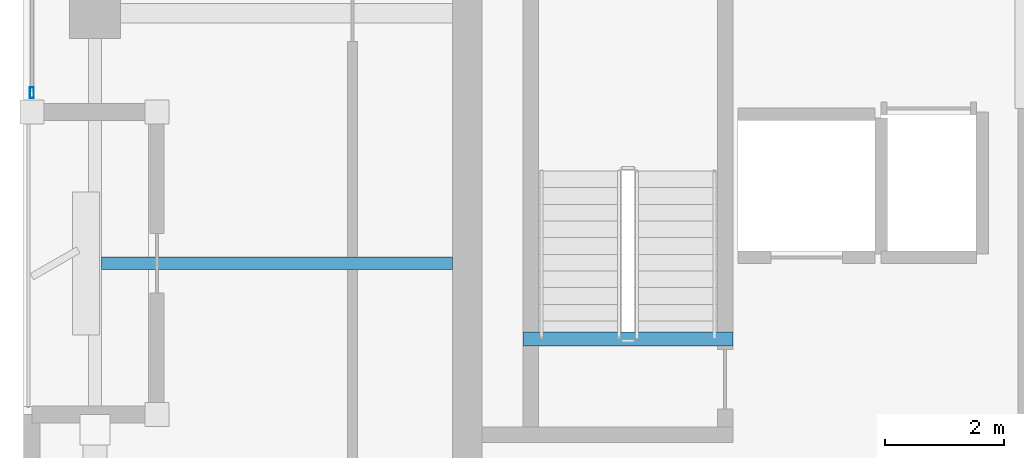
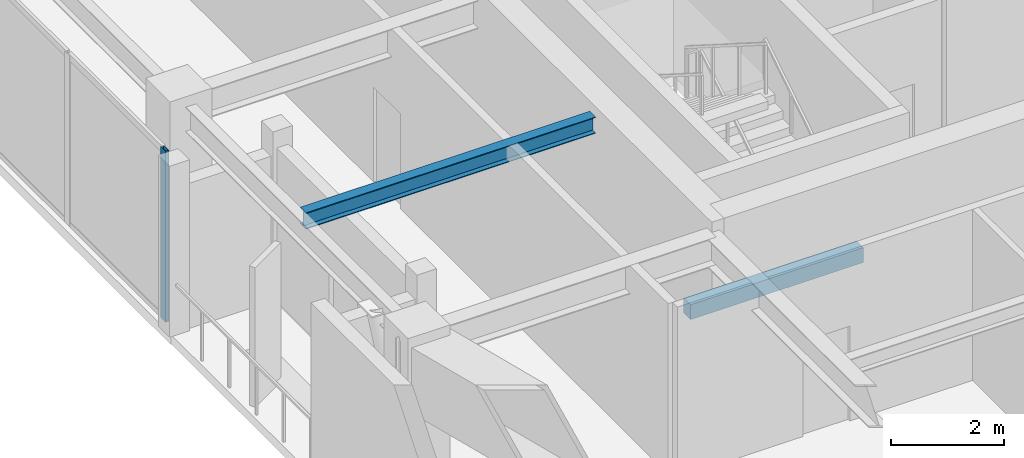
# One storey, part 2 of 15: 2 beams, 1 member, 1 element without a shape of its own.
"""IFC4 building model written with IfcOpenShell, lengths in metres."""

from ifc_helpers import new_model, si_unit, direction, frame, origin, origin_2d, place, context, subcontext, project, spatial, rectangle, hollow_rectangle, i_section, extrude, material, layer, layer_set, material_profile, profile_set, type_object, element, aggregate, save


model = new_model("IFC4")

# Units and contexts
model_context = context("Model", 3, precision=1e-05, world=origin(), true_north=direction((0.0, 1.0)))
body_context = subcontext(model_context, "Body", "Model", "MODEL_VIEW")
ifc_project = project(units=[si_unit("LENGTHUNIT", "METRE"), si_unit("AREAUNIT", "SQUARE_METRE"), si_unit("VOLUMEUNIT", "CUBIC_METRE"), si_unit("PLANEANGLEUNIT", "RADIAN"), si_unit("MASSUNIT", "GRAM", prefix="KILO")], contexts=[model_context])

# Site, building, storey
site_placement = place(None, origin())
site = spatial("IfcSite", under=ifc_project, at=site_placement, CompositionType="ELEMENT")
building_placement = place(site_placement, origin())
building = spatial("IfcBuilding", under=site, at=building_placement, Name="Kiyonajd Concourse Tower", CompositionType="ELEMENT")
storey_placement = place(building_placement, frame((0.0, 0.0, 314.10009765625)))
storey = spatial("IfcBuildingStorey", under=building, at=storey_placement, Name="L79", CompositionType="ELEMENT", Elevation=314.10009765625)

# Beams
ifc_material_1 = material(Name="Steel ASTM A992 Grade 50", Category="steel")
ifc_material_profile_1 = material_profile(ifc_material_1, i_section(OverallWidth=0.205078125, OverallDepth=0.35400390625, WebThickness=0.009521484375, FlangeThickness=0.016845703125, at=origin_2d()), Name="W360X79")
ifc_profile_set_1 = profile_set([ifc_material_profile_1], Name="Steel ASTM A992 Grade 50")
beam_type_1 = type_object("IfcBeamType", Name="BM-JST-360", PredefinedType="JOIST", material=ifc_profile_set_1)
beam_1_placement = place(storey_placement, frame((26.505615234375, 31.800048828125, 3.5029296875), z_axis=(1.0, 0.0, 0.0), x_axis=(0.0, 1.0, 0.0)))
element("IfcBeam", 1, at=beam_1_placement, inside=storey, type_object=beam_type_1, Name="L79 West Secondary Floor Joist", PredefinedType="JOIST", context=body_context, shape_type="SweptSolid", body=[
    extrude(i_section(OverallWidth=0.205078125, OverallDepth=0.35400390625, WebThickness=0.009521484375, FlangeThickness=0.016845703125, at=origin_2d()), origin(), (0.0, 0.0, 1.0), 5.894287109375),
])
ifc_material_2 = material(Name="Concrete C50/60", Category="concrete")
ifc_material_profile_2 = material_profile(ifc_material_2, rectangle(XDim=0.239990234375, YDim=0.320068359375, at=origin_2d()), Name="RCBM-240x320")
ifc_profile_set_2 = profile_set([ifc_material_profile_2], Name="Concrete C50/60")
beam_type_2 = type_object("IfcBeamType", Name="BM-LNT-250", PredefinedType="LINTEL", material=ifc_profile_set_2)
beam_2_placement = place(storey_placement, frame((33.590087890625, 30.530029296875, -0.16015625), z_axis=(1.0, 0.0, 0.0), x_axis=(0.0, 1.0, 0.0)))
element("IfcBeam", 2, at=beam_2_placement, inside=storey, type_object=beam_type_2, Name="L79 Stair ST1 Threshold Support Beam", PredefinedType="LINTEL", context=body_context, shape_type="SweptSolid", body=[
    extrude(rectangle(XDim=0.239990234375, YDim=0.320068359375, at=origin_2d()), origin(), (0.0, 0.0, 1.0), 3.52001953125),
])

# Curtain wall, member
ifc_material_3 = material(Name="Thermally Broken Anodised Aluminium", Category="aluminium")
ifc_layer = layer(ifc_material_3, 0.179931640625)
ifc_layer_set = layer_set([ifc_layer], Name="Thermally Broken Anodised Aluminium")
curtain_wall_type = type_object("IfcCurtainWallType", Name="CW-SYS-04", PredefinedType="NOTDEFINED", material=ifc_layer_set)
curtain_wall_placement = place(storey_placement, origin())
curtain_wall = element("IfcCurtainWall", 3, at=curtain_wall_placement, inside=storey, type_object=curtain_wall_type, Name="L79 Unitised Curtain Wall CW4", PredefinedType="NOTDEFINED")
ifc_material_profile_3 = material_profile(ifc_material_3, hollow_rectangle(XDim=0.06494140625, YDim=0.179931640625, WallThickness=0.00390625, at=origin_2d()), Name="MULL-65x180")
ifc_profile_set_3 = profile_set([ifc_material_profile_3], Name="Thermally Broken Anodised Aluminium")
member_type = type_object("IfcMemberType", Name="MB-CW-MULL1", PredefinedType="MULLION", material=ifc_profile_set_3)
member_placement = place(storey_placement, frame((25.340087890625, 34.66259765625, 0.0), z_axis=(0.0, 0.0, 1.0), x_axis=(-1.0, 0.0, 0.0)))
member = element("IfcMember", 4, at=member_placement, type_object=member_type, Name="CW4 mullion 1", PredefinedType="MULLION", context=body_context, shape_type="SweptSolid", body=[
    extrude(hollow_rectangle(XDim=0.06494140625, YDim=0.179931640625, WallThickness=0.00390625, at=origin_2d()), origin(), (0.0, 0.0, 1.0), 3.679931640625),
])
aggregate(curtain_wall, [member])

save(model, "model.ifc")
